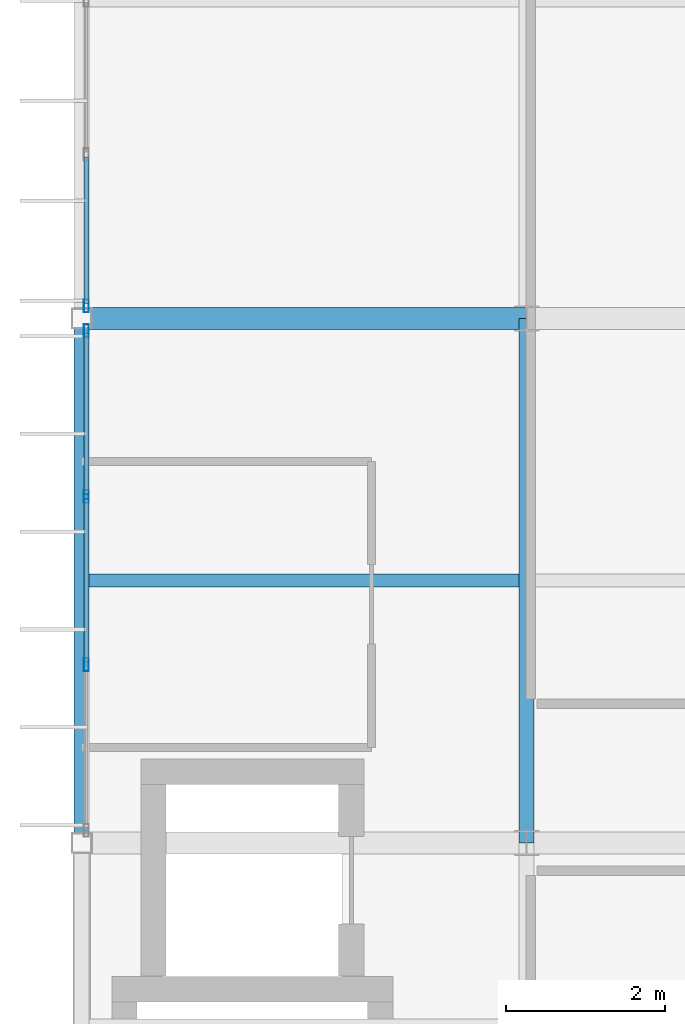
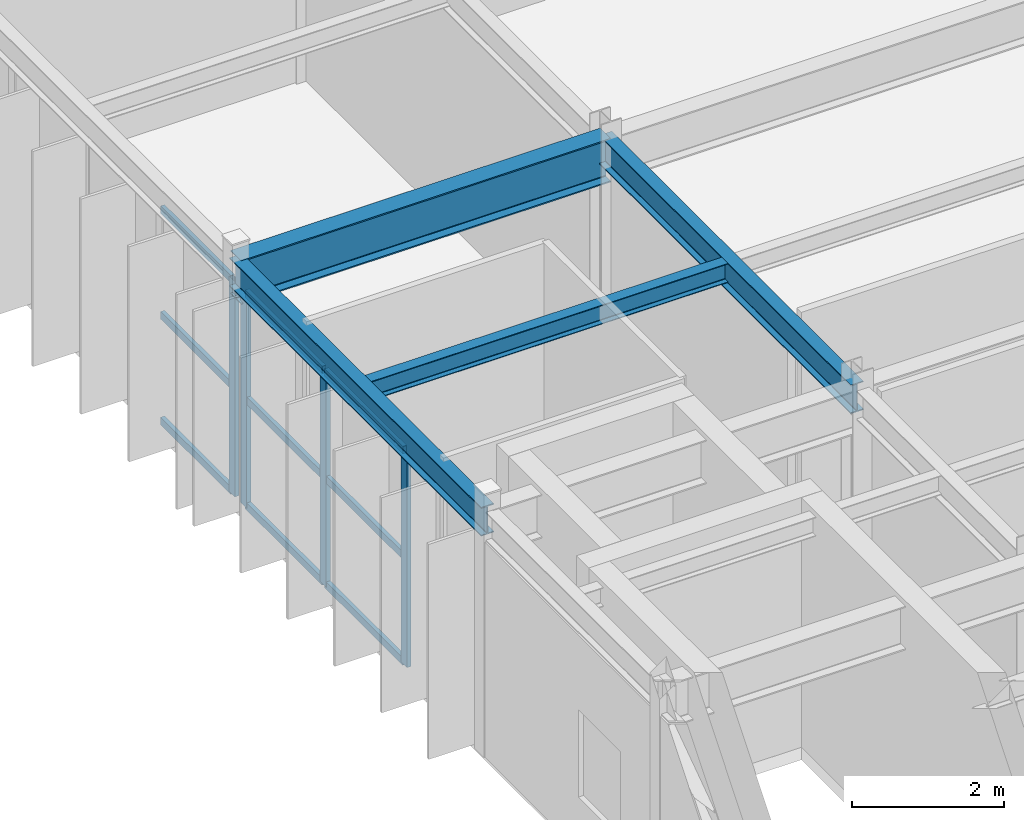
# One storey, part 31 of 130: 13 members, 4 beams, 2 elements without a shape of their own.
"""IFC4 building model written with IfcOpenShell, lengths in metres."""

from ifc_helpers import new_model, si_unit, direction, frame, origin, origin_2d, place, context, subcontext, project, spatial, hollow_rectangle, i_section, extrude, material, material_profile, profile_set, type_object, element, aggregate, save


model = new_model("IFC4")

# Units and contexts
model_context = context("Model", 3, precision=1e-05, world=origin(), true_north=direction((0.0, 1.0)))
body_context = subcontext(model_context, "Body", "Model", "MODEL_VIEW")
ifc_project = project(units=[si_unit("LENGTHUNIT", "METRE"), si_unit("AREAUNIT", "SQUARE_METRE"), si_unit("VOLUMEUNIT", "CUBIC_METRE"), si_unit("PLANEANGLEUNIT", "RADIAN"), si_unit("MASSUNIT", "GRAM", prefix="KILO")], contexts=[model_context])

# Site, building, storey
site_placement = place(None, origin())
site = spatial("IfcSite", under=ifc_project, at=site_placement, CompositionType="ELEMENT")
building_placement = place(site_placement, origin())
building = spatial("IfcBuilding", under=site, at=building_placement, Name="Karori Crest Natural Sciences Institute", CompositionType="ELEMENT")
storey_placement = place(building_placement, frame((0.0, 0.0, 17.5)))
storey = spatial("IfcBuildingStorey", under=building, at=storey_placement, Name="L04", CompositionType="ELEMENT", Elevation=17.5)

# Beams
ifc_material_1 = material(Name="Structural steel AS/NZS 3679.1 Grade 350", Category="steel")
ifc_material_profile_1 = material_profile(ifc_material_1, i_section(OverallWidth=0.27490234375, OverallDepth=0.699951171875, WebThickness=0.010009765625, FlangeThickness=0.02001953125, FilletRadius=0.013916015625, at=origin_2d()), Name="700WB150")
ifc_profile_set_1 = profile_set([ifc_material_profile_1], Name="Structural steel AS/NZS 3679.1 Grade 350")
beam_type_1 = type_object("IfcBeamType", Name="BT-03", PredefinedType="BEAM", material=ifc_profile_set_1)
beam_1_placement = place(storey_placement, frame((1.800048828125, 47.0, 3.570068359375), z_axis=(1.0, 0.0, 0.0), x_axis=(0.0, 1.0, 0.0)))
element("IfcBeam", 1, at=beam_1_placement, inside=storey, type_object=beam_type_1, Name="Beam B-1216", PredefinedType="BEAM", context=body_context, shape_type="SweptSolid", body=[
    extrude(i_section(OverallWidth=0.27490234375, OverallDepth=0.699951171875, WebThickness=0.010009765625, FlangeThickness=0.02001953125, FilletRadius=0.013916015625, at=origin_2d()), origin(), (0.0, 0.0, 1.0), 5.599853515625),
])
ifc_material_profile_2 = material_profile(ifc_material_1, i_section(OverallWidth=0.19091796875, OverallDepth=0.4599609375, WebThickness=0.010009765625, FlangeThickness=0.01611328125, FilletRadius=0.010986328125, at=origin_2d()), Name="460UB82.1")
ifc_profile_set_2 = profile_set([ifc_material_profile_2], Name="Structural steel AS/NZS 3679.1 Grade 350")
beam_type_2 = type_object("IfcBeamType", Name="BT-06", PredefinedType="BEAM", material=ifc_profile_set_2)
beam_2_placement = place(storey_placement, frame((7.39990234375, 40.39990234375, 3.68994140625), z_axis=(0.0, 1.0, 0.0), x_axis=(-1.0, 0.0, 0.0)))
element("IfcBeam", 2, at=beam_2_placement, inside=storey, type_object=beam_type_2, Name="Beam B-1228", PredefinedType="BEAM", context=body_context, shape_type="SweptSolid", body=[
    extrude(i_section(OverallWidth=0.19091796875, OverallDepth=0.4599609375, WebThickness=0.010009765625, FlangeThickness=0.01611328125, FilletRadius=0.010986328125, at=origin_2d()), origin(), (0.0, 0.0, 1.0), 6.60009765625),
])
ifc_material_profile_3 = material_profile(ifc_material_1, i_section(OverallWidth=0.19091796875, OverallDepth=0.4599609375, WebThickness=0.010009765625, FlangeThickness=0.01611328125, FilletRadius=0.010986328125, at=origin_2d()), Name="460UB82.1")
ifc_profile_set_3 = profile_set([ifc_material_profile_3], Name="Structural steel AS/NZS 3679.1 Grade 350")
beam_type_3 = type_object("IfcBeamType", Name="BT-06-EL", PredefinedType="BEAM", material=ifc_profile_set_3)
beam_3_placement = place(storey_placement, frame((1.800048828125, 40.39990234375, 3.68994140625), z_axis=(0.0, 1.0, 0.0), x_axis=(-1.0, 0.0, 0.0)))
element("IfcBeam", 3, at=beam_3_placement, inside=storey, type_object=beam_type_3, Name="Beam B-1224", PredefinedType="BEAM", context=body_context, shape_type="SweptSolid", body=[
    extrude(i_section(OverallWidth=0.19091796875, OverallDepth=0.4599609375, WebThickness=0.010009765625, FlangeThickness=0.01611328125, FilletRadius=0.010986328125, at=origin_2d()), origin(), (0.0, 0.0, 1.0), 6.60009765625),
])
ifc_material_profile_4 = material_profile(ifc_material_1, i_section(OverallWidth=0.166015625, OverallDepth=0.306884765625, WebThickness=0.006591796875, FlangeThickness=0.01171875, FilletRadius=0.010986328125, at=origin_2d()), Name="310UB46.2")
ifc_profile_set_4 = profile_set([ifc_material_profile_4], Name="Structural steel AS/NZS 3679.1 Grade 350")
beam_type_4 = type_object("IfcBeamType", Name="BT-09", PredefinedType="BEAM", material=ifc_profile_set_4)
beam_4_placement = place(storey_placement, frame((1.8955078125, 43.699951171875, 3.7666015625), z_axis=(1.0, 0.0, 0.0), x_axis=(0.0, 1.0, 0.0)))
element("IfcBeam", 4, at=beam_4_placement, inside=storey, type_object=beam_type_4, Name="Beam B-1240", PredefinedType="BEAM", context=body_context, shape_type="SweptSolid", body=[
    extrude(i_section(OverallWidth=0.166015625, OverallDepth=0.306884765625, WebThickness=0.006591796875, FlangeThickness=0.01171875, FilletRadius=0.010986328125, at=origin_2d()), origin(), (0.0, 0.0, 1.0), 5.408935546875),
])

# Curtain wall, members
ifc_material_2 = material(Name="Anodised architectural aluminium 6063-T6", Category="aluminium")
curtain_wall_type = type_object("IfcCurtainWallType", Name="CWT-17", PredefinedType="NOTDEFINED", material=ifc_material_2)
curtain_wall_1_placement = place(storey_placement, origin())
curtain_wall_1 = element("IfcCurtainWall", 5, at=curtain_wall_1_placement, inside=storey, type_object=curtain_wall_type, Name="Curtain wall CW-0286", PredefinedType="NOTDEFINED")
ifc_material_profile_5 = material_profile(ifc_material_2, hollow_rectangle(XDim=0.06494140625, YDim=0.159912109375, WallThickness=0.00390625, at=origin_2d()), Name="CWM160x65x4")
ifc_profile_set_5 = profile_set([ifc_material_profile_5], Name="Anodised architectural aluminium 6063-T6")
member_type_1 = type_object("IfcMemberType", Name="CWM-01", PredefinedType="MULLION", material=ifc_profile_set_5)
member_1_placement = place(storey_placement, frame((1.860107421875, 42.64111328125, 0.0), z_axis=(0.0, 0.0, 1.0), x_axis=(-1.0, 0.0, 0.0)))
member_1 = element("IfcMember", 6, at=member_1_placement, type_object=member_type_1, Name="CW-0286 mullion 2", PredefinedType="MULLION", context=body_context, shape_type="SweptSolid", body=[
    extrude(hollow_rectangle(XDim=0.06494140625, YDim=0.159912109375, WallThickness=0.00390625, at=origin_2d()), origin(), (0.0, 0.0, 1.0), 3.445068359375),
])
member_2_placement = place(storey_placement, frame((1.860107421875, 44.759033203125, 0.0), z_axis=(0.0, 0.0, 1.0), x_axis=(-1.0, 0.0, 0.0)))
member_2 = element("IfcMember", 7, at=member_2_placement, type_object=member_type_1, Name="CW-0286 mullion 3", PredefinedType="MULLION", context=body_context, shape_type="SweptSolid", body=[
    extrude(hollow_rectangle(XDim=0.06494140625, YDim=0.159912109375, WallThickness=0.00390625, at=origin_2d()), origin(), (0.0, 0.0, 1.0), 3.445068359375),
])
member_3_placement = place(storey_placement, frame((1.860107421875, 46.844482421875, 0.0), z_axis=(0.0, 0.0, 1.0), x_axis=(-1.0, 0.0, 0.0)))
member_3 = element("IfcMember", 8, at=member_3_placement, type_object=member_type_1, Name="CW-0286 mullion 4", PredefinedType="MULLION", context=body_context, shape_type="SweptSolid", body=[
    extrude(hollow_rectangle(XDim=0.06494140625, YDim=0.159912109375, WallThickness=0.00390625, at=origin_2d()), origin(), (0.0, 0.0, 1.0), 3.445068359375),
])

# Curtain wall, member
curtain_wall_2_placement = place(storey_placement, origin())
curtain_wall_2 = element("IfcCurtainWall", 9, at=curtain_wall_2_placement, inside=storey, type_object=curtain_wall_type, Name="Curtain wall CW-0287", PredefinedType="NOTDEFINED")
member_4_placement = place(storey_placement, frame((1.860107421875, 47.155517578125, 0.0), z_axis=(0.0, 0.0, 1.0), x_axis=(-1.0, 0.0, 0.0)))
member_4 = element("IfcMember", 10, at=member_4_placement, type_object=member_type_1, Name="CW-0287 mullion 1", PredefinedType="MULLION", context=body_context, shape_type="SweptSolid", body=[
    extrude(hollow_rectangle(XDim=0.06494140625, YDim=0.159912109375, WallThickness=0.00390625, at=origin_2d()), origin(), (0.0, 0.0, 1.0), 3.445068359375),
])

# Member
ifc_material_profile_6 = material_profile(ifc_material_2, hollow_rectangle(XDim=0.06005859375, YDim=0.1201171875, WallThickness=0.00390625, at=origin_2d()), Name="CWT120x60x4")
ifc_profile_set_6 = profile_set([ifc_material_profile_6], Name="Anodised architectural aluminium 6063-T6")
member_type_2 = type_object("IfcMemberType", Name="CWT-TR1", PredefinedType="USERDEFINED", material=ifc_profile_set_6)
member_5_placement = place(storey_placement, frame((1.860107421875, 42.673583984375, 0.030029296875), z_axis=(0.0, 1.0, 0.0), x_axis=(-1.0, 0.0, 0.0)))
member_5 = element("IfcMember", 11, at=member_5_placement, type_object=member_type_2, Name="CW-0286 transom 2.1", ObjectType="TRANSOM", PredefinedType="USERDEFINED", context=body_context, shape_type="SweptSolid", body=[
    extrude(hollow_rectangle(XDim=0.06005859375, YDim=0.1201171875, WallThickness=0.00390625, at=origin_2d()), origin(), (0.0, 0.0, 1.0), 2.052978515625),
])

member_6_placement = place(storey_placement, frame((1.860107421875, 42.673583984375, 1.722412109375), z_axis=(0.0, 1.0, 0.0), x_axis=(-1.0, 0.0, 0.0)))
member_6 = element("IfcMember", 12, at=member_6_placement, type_object=member_type_2, Name="CW-0286 transom 2.2", ObjectType="TRANSOM", PredefinedType="USERDEFINED", context=body_context, shape_type="SweptSolid", body=[
    extrude(hollow_rectangle(XDim=0.06005859375, YDim=0.1201171875, WallThickness=0.00390625, at=origin_2d()), origin(), (0.0, 0.0, 1.0), 2.052978515625),
])

member_7_placement = place(storey_placement, frame((1.860107421875, 42.673583984375, 3.4150390625), z_axis=(0.0, 1.0, 0.0), x_axis=(-1.0, 0.0, 0.0)))
member_7 = element("IfcMember", 13, at=member_7_placement, type_object=member_type_2, Name="CW-0286 transom 2.3", ObjectType="TRANSOM", PredefinedType="USERDEFINED", context=body_context, shape_type="SweptSolid", body=[
    extrude(hollow_rectangle(XDim=0.06005859375, YDim=0.1201171875, WallThickness=0.00390625, at=origin_2d()), origin(), (0.0, 0.0, 1.0), 2.052978515625),
])

member_8_placement = place(storey_placement, frame((1.860107421875, 44.79150390625, 0.030029296875), z_axis=(0.0, 1.0, 0.0), x_axis=(-1.0, 0.0, 0.0)))
member_8 = element("IfcMember", 14, at=member_8_placement, type_object=member_type_2, Name="CW-0286 transom 3.1", ObjectType="TRANSOM", PredefinedType="USERDEFINED", context=body_context, shape_type="SweptSolid", body=[
    extrude(hollow_rectangle(XDim=0.06005859375, YDim=0.1201171875, WallThickness=0.00390625, at=origin_2d()), origin(), (0.0, 0.0, 1.0), 2.0205078125),
])

member_9_placement = place(storey_placement, frame((1.860107421875, 44.79150390625, 1.722412109375), z_axis=(0.0, 1.0, 0.0), x_axis=(-1.0, 0.0, 0.0)))
member_9 = element("IfcMember", 15, at=member_9_placement, type_object=member_type_2, Name="CW-0286 transom 3.2", ObjectType="TRANSOM", PredefinedType="USERDEFINED", context=body_context, shape_type="SweptSolid", body=[
    extrude(hollow_rectangle(XDim=0.06005859375, YDim=0.1201171875, WallThickness=0.00390625, at=origin_2d()), origin(), (0.0, 0.0, 1.0), 2.0205078125),
])

member_10_placement = place(storey_placement, frame((1.860107421875, 44.79150390625, 3.4150390625), z_axis=(0.0, 1.0, 0.0), x_axis=(-1.0, 0.0, 0.0)))
member_10 = element("IfcMember", 16, at=member_10_placement, type_object=member_type_2, Name="CW-0286 transom 3.3", ObjectType="TRANSOM", PredefinedType="USERDEFINED", context=body_context, shape_type="SweptSolid", body=[
    extrude(hollow_rectangle(XDim=0.06005859375, YDim=0.1201171875, WallThickness=0.00390625, at=origin_2d()), origin(), (0.0, 0.0, 1.0), 2.0205078125),
])

aggregate(curtain_wall_1, [member_1, member_2, member_3, member_5, member_6, member_7, member_8, member_9, member_10])

member_11_placement = place(storey_placement, frame((1.860107421875, 47.18798828125, 0.030029296875), z_axis=(0.0, 1.0, 0.0), x_axis=(-1.0, 0.0, 0.0)))
member_11 = element("IfcMember", 17, at=member_11_placement, type_object=member_type_2, Name="CW-0287 transom 1.1", ObjectType="TRANSOM", PredefinedType="USERDEFINED", context=body_context, shape_type="SweptSolid", body=[
    extrude(hollow_rectangle(XDim=0.06005859375, YDim=0.1201171875, WallThickness=0.00390625, at=origin_2d()), origin(), (0.0, 0.0, 1.0), 1.841064453125),
])

member_12_placement = place(storey_placement, frame((1.860107421875, 47.18798828125, 1.722412109375), z_axis=(0.0, 1.0, 0.0), x_axis=(-1.0, 0.0, 0.0)))
member_12 = element("IfcMember", 18, at=member_12_placement, type_object=member_type_2, Name="CW-0287 transom 1.2", ObjectType="TRANSOM", PredefinedType="USERDEFINED", context=body_context, shape_type="SweptSolid", body=[
    extrude(hollow_rectangle(XDim=0.06005859375, YDim=0.1201171875, WallThickness=0.00390625, at=origin_2d()), origin(), (0.0, 0.0, 1.0), 1.841064453125),
])

member_13_placement = place(storey_placement, frame((1.860107421875, 47.18798828125, 3.4150390625), z_axis=(0.0, 1.0, 0.0), x_axis=(-1.0, 0.0, 0.0)))
member_13 = element("IfcMember", 19, at=member_13_placement, type_object=member_type_2, Name="CW-0287 transom 1.3", ObjectType="TRANSOM", PredefinedType="USERDEFINED", context=body_context, shape_type="SweptSolid", body=[
    extrude(hollow_rectangle(XDim=0.06005859375, YDim=0.1201171875, WallThickness=0.00390625, at=origin_2d()), origin(), (0.0, 0.0, 1.0), 1.841064453125),
])

aggregate(curtain_wall_2, [member_4, member_11, member_12, member_13])

save(model, "model.ifc")
